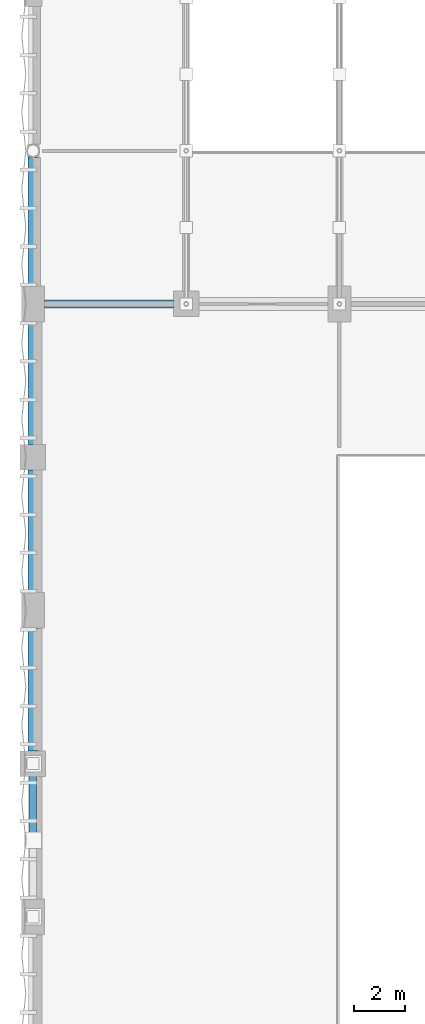
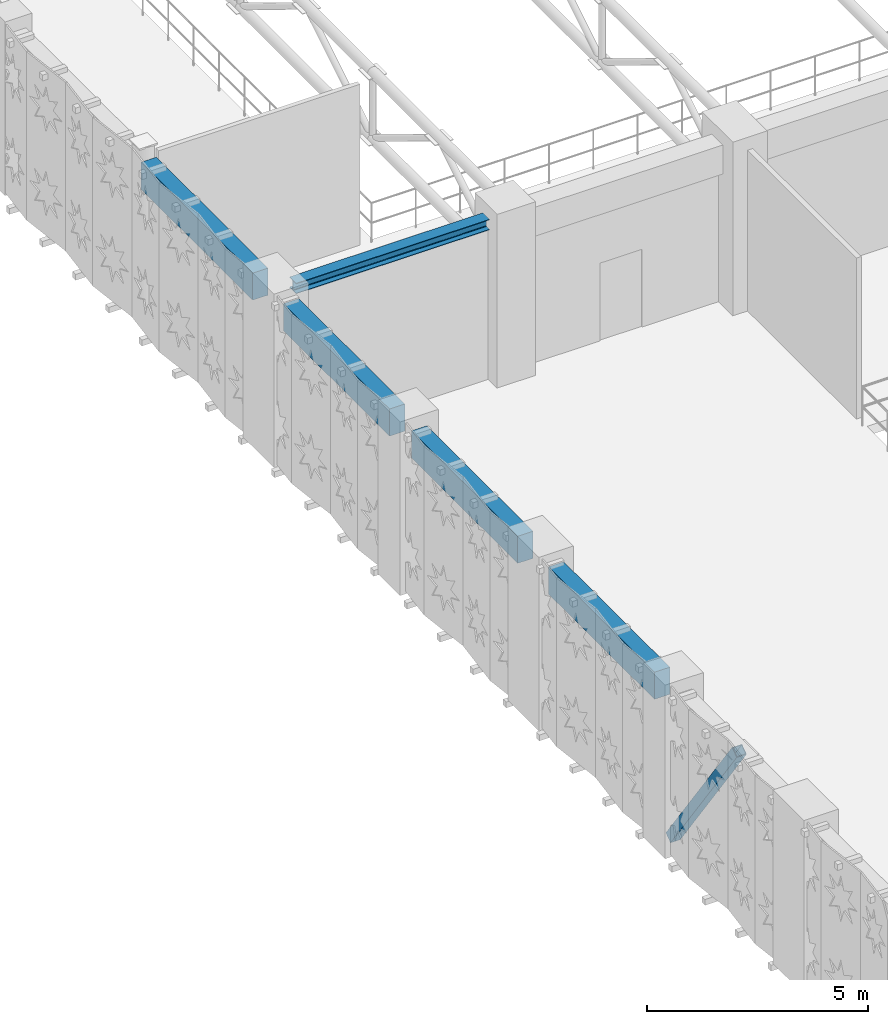
# One storey, part 35 of 123: 5 beams, 1 member.
"""IFC4 building model written with IfcOpenShell, lengths in metres."""

from ifc_helpers import new_model, si_unit, direction, frame, origin, origin_2d, place, context, subcontext, project, spatial, rectangle, hollow_rectangle, i_section, extrude, material, material_profile, profile_set, type_object, element, save


model = new_model("IFC4")

# Units and contexts
model_context = context("Model", 3, precision=1e-05, world=origin(), true_north=direction((0.0, 1.0)))
body_context = subcontext(model_context, "Body", "Model", "MODEL_VIEW")
ifc_project = project(units=[si_unit("LENGTHUNIT", "METRE"), si_unit("AREAUNIT", "SQUARE_METRE"), si_unit("VOLUMEUNIT", "CUBIC_METRE"), si_unit("PLANEANGLEUNIT", "RADIAN"), si_unit("MASSUNIT", "GRAM", prefix="KILO"), si_unit("THERMODYNAMICTEMPERATUREUNIT", "KELVIN"), si_unit("POWERUNIT", "WATT")], contexts=[model_context])

# Site, building, storey
site_placement = place(None, origin())
site = spatial("IfcSite", under=ifc_project, at=site_placement, CompositionType="ELEMENT")
building_placement = place(site_placement, origin())
building = spatial("IfcBuilding", under=site, at=building_placement, Name="Phaisarnlok Congress Hotel", CompositionType="ELEMENT")
storey_placement = place(building_placement, frame((0.0, 0.0, 15.0)))
storey = spatial("IfcBuildingStorey", under=building, at=storey_placement, Name="L03", CompositionType="ELEMENT", Elevation=15.0)

# Beam
ifc_material_1 = material(Name="Steel S355", Category="steel")
ifc_material_profile_1 = material_profile(ifc_material_1, i_section(OverallWidth=0.300048828125, OverallDepth=0.2900390625, WebThickness=0.008544921875, FlangeThickness=0.013916015625, FilletRadius=0.027099609375, at=origin_2d()), Name="HEA 300")
ifc_profile_set_1 = profile_set([ifc_material_profile_1], Name="Steel S355")
beam_type_1 = type_object("IfcBeamType", Name="BM-STL-HEA300", PredefinedType="BEAM", material=ifc_profile_set_1)
beam_1_placement = place(storey_placement, frame((0.445068359375, 84.0, 4.304931640625), z_axis=(1.0, 0.0, 0.0), x_axis=(0.0, 1.0, 0.0)))
element("IfcBeam", 1, at=beam_1_placement, inside=storey, type_object=beam_type_1, Name="Beam SB-05", PredefinedType="BEAM", context=body_context, shape_type="SweptSolid", body=[
    extrude(i_section(OverallWidth=0.300048828125, OverallDepth=0.2900390625, WebThickness=0.008544921875, FlangeThickness=0.013916015625, FilletRadius=0.027099609375, at=origin_2d()), origin(), (0.0, 0.0, 1.0), 5.059814453125),
])

# Member
ifc_material_profile_2 = material_profile(ifc_material_1, hollow_rectangle(XDim=0.260009765625, YDim=0.260009765625, WallThickness=0.01611328125, at=origin_2d()), Name="SHS 260x260x16")
ifc_profile_set_2 = profile_set([ifc_material_profile_2], Name="Steel S355")
member_type = type_object("IfcMemberType", Name="MEM-BRC-SHS260-EXT", PredefinedType="BRACE", material=ifc_profile_set_2)
member_placement = place(storey_placement, frame((0.0, 66.0, 0.14990234375), z_axis=(0.0, -0.583059052244, 0.812429776409), x_axis=(1.0, 0.0, 0.0)))
element("IfcMember", 2, at=member_placement, inside=storey, type_object=member_type, Name="Lateral braced frame diagonal", PredefinedType="BRACE", context=body_context, shape_type="SweptSolid", body=[
    extrude(hollow_rectangle(XDim=0.260009765625, YDim=0.260009765625, WallThickness=0.01611328125, at=origin_2d()), origin(), (0.0, 0.0, 1.0), 5.145263671875),
])

# Beams
ifc_material_2 = material(Name="Concrete C40/50", Category="concrete")
ifc_material_profile_3 = material_profile(ifc_material_2, rectangle(XDim=0.39990234375, YDim=0.75, at=origin_2d()), Name="RC 400x750")
ifc_profile_set_3 = profile_set([ifc_material_profile_3], Name="Concrete C40/50")
beam_type_2 = type_object("IfcBeamType", Name="SP-RC-400x750", PredefinedType="SPANDREL", material=ifc_profile_set_3)
for number, where, z_axis, x_axis, name in (
    (3, (0.0, 66.4951171875, 4.074951171875), (0.0, 1.0, 0.0), (-1.0, 0.0, 0.0), "Beam SP-02"),
    (4, (0.0, 72.695068359375, 4.074951171875), (0.0, 1.0, 0.0), (-1.0, 0.0, 0.0), "Beam SP-02"),
    (5, (0.0, 78.4951171875, 4.074951171875), (0.0, 1.0, 0.0), (-1.0, 0.0, 0.0), "Beam SP-02"),
):
    element("IfcBeam", number, at=place(storey_placement, frame(where, z_axis=z_axis, x_axis=x_axis)), inside=storey, type_object=beam_type_2, Name=name, PredefinedType="SPANDREL", context=body_context, shape_type="SweptSolid", body=[
        extrude(rectangle(XDim=0.39990234375, YDim=0.75, at=origin_2d()), origin(), (0.0, 0.0, 1.0), 4.809814453125),
    ])
beam_2_placement = place(storey_placement, frame((0.0, 84.695068359375, 4.074951171875), z_axis=(0.0, 1.0, 0.0), x_axis=(-1.0, 0.0, 0.0)))
element("IfcBeam", 6, at=beam_2_placement, inside=storey, type_object=beam_type_2, Name="Beam SP-02", PredefinedType="SPANDREL", context=body_context, shape_type="SweptSolid", body=[
    extrude(rectangle(XDim=0.39990234375, YDim=0.75, at=origin_2d()), origin(), (0.0, 0.0, 1.0), 5.055908203125),
])

save(model, "model.ifc")
